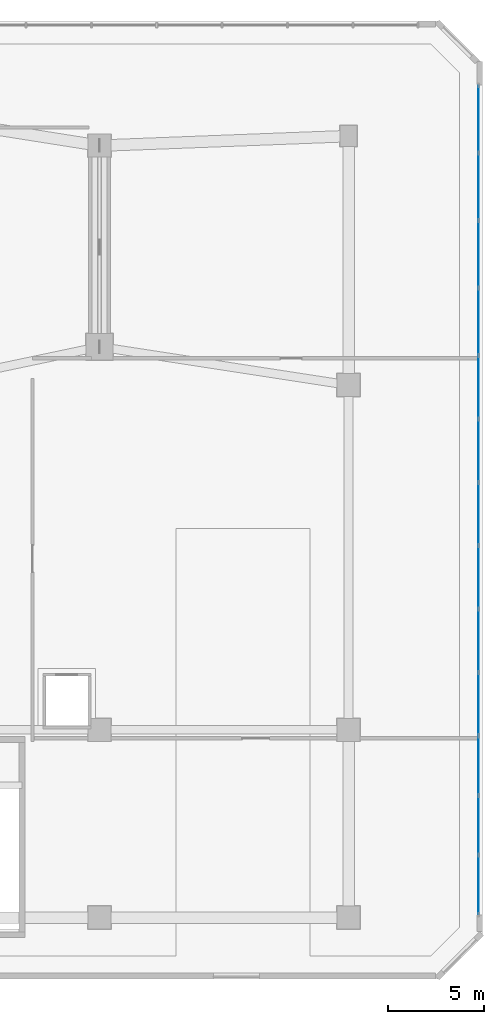
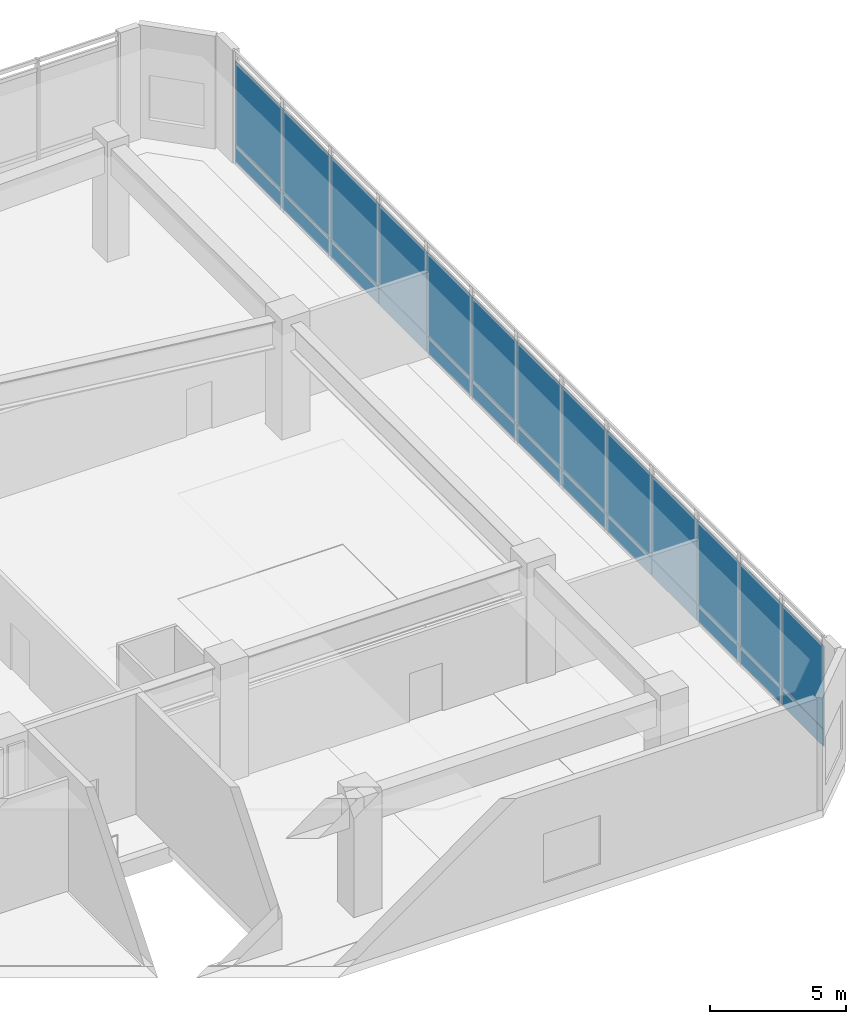
# One storey, part 14 of 21: 26 plates, 1 element without a shape of its own.
"""IFC4 building model written with IfcOpenShell, lengths in metres."""

from ifc_helpers import new_model, si_unit, direction, frame, frame_2d, origin, place, context, subcontext, project, spatial, rectangle, extrude, material, layer, layer_set, type_object, element, aggregate, save


model = new_model("IFC4")

# Units and contexts
model_context = context("Model", 3, precision=1e-05, world=origin(), true_north=direction((0.0, 1.0)))
body_context = subcontext(model_context, "Body", "Model", "MODEL_VIEW")
ifc_project = project(units=[si_unit("LENGTHUNIT", "METRE"), si_unit("AREAUNIT", "SQUARE_METRE"), si_unit("VOLUMEUNIT", "CUBIC_METRE"), si_unit("PLANEANGLEUNIT", "RADIAN"), si_unit("MASSUNIT", "GRAM", prefix="KILO")], contexts=[model_context])

# Site, building, storey
site_placement = place(None, origin())
site = spatial("IfcSite", under=ifc_project, at=site_placement, CompositionType="ELEMENT")
building_placement = place(site_placement, origin())
building = spatial("IfcBuilding", under=site, at=building_placement, Name="Calvemar Wedge Station Tower", CompositionType="ELEMENT")
storey_placement = place(building_placement, frame((0.0, 0.0, 21.60009765625)))
storey = spatial("IfcBuildingStorey", under=building, at=storey_placement, Name="L05", CompositionType="ELEMENT", Elevation=21.60009765625)

# Curtain wall, plates
ifc_material_1 = material(Name="Anodised aluminium 6063-T6", Category="aluminium")
curtain_wall_type = type_object("IfcCurtainWallType", Name="CW5", PredefinedType="NOTDEFINED", material=ifc_material_1)
curtain_wall_placement = place(storey_placement, origin())
curtain_wall = element("IfcCurtainWall", 1, at=curtain_wall_placement, inside=storey, type_object=curtain_wall_type, Name="Storey L05 CW5 Recessed Unitised Curtain Wall 2", PredefinedType="NOTDEFINED")
ifc_material_2 = material(Name="Low-E laminated insulated glass", Category="glass")
ifc_layer_1 = layer(ifc_material_2, 0.028076171875)
ifc_layer_set_1 = layer_set([ifc_layer_1], Name="Low-E laminated insulated glass")
plate_type_1 = type_object("IfcPlateType", Name="CW5-GLZ", PredefinedType="CURTAIN_PANEL", material=ifc_layer_set_1)
plate_1_placement = place(storey_placement, frame((67.7900390625, 5.380126953125, 0.869873046875), z_axis=(0.0, 0.0, 1.0), x_axis=(0.0, 1.0, 0.0)))
plate_1 = element("IfcPlate", 2, at=plate_1_placement, type_object=plate_type_1, Name="CW5 vision glass panel 1", PredefinedType="CURTAIN_PANEL", context=body_context, shape_type="SweptSolid", body=[
    extrude(rectangle(XDim=3.0732421875, YDim=0.028076171875, at=frame_2d((1.53662109375, 0.0))), origin(), (0.0, 0.0, 1.0), 3.7099609375),
])
plate_2_placement = place(storey_placement, frame((67.7900390625, 8.489501953125, 0.869873046875), z_axis=(0.0, 0.0, 1.0), x_axis=(0.0, 1.0, 0.0)))
plate_2 = element("IfcPlate", 3, at=plate_2_placement, type_object=plate_type_1, Name="CW5 vision glass panel 2", PredefinedType="CURTAIN_PANEL", context=body_context, shape_type="SweptSolid", body=[
    extrude(rectangle(XDim=3.0732421875, YDim=0.028076171875, at=frame_2d((1.53662109375, 0.0))), origin(), (0.0, 0.0, 1.0), 3.7099609375),
])
plate_3_placement = place(storey_placement, frame((67.7900390625, 11.5986328125, 0.869873046875), z_axis=(0.0, 0.0, 1.0), x_axis=(0.0, 1.0, 0.0)))
plate_3 = element("IfcPlate", 4, at=plate_3_placement, type_object=plate_type_1, Name="CW5 vision glass panel 3", PredefinedType="CURTAIN_PANEL", context=body_context, shape_type="SweptSolid", body=[
    extrude(rectangle(XDim=3.073486328125, YDim=0.028076171875, at=frame_2d((1.53662109375, 0.0))), origin(), (0.0, 0.0, 1.0), 3.7099609375),
])
plate_4_placement = place(storey_placement, frame((67.7900390625, 14.7080078125, 0.869873046875), z_axis=(0.0, 0.0, 1.0), x_axis=(0.0, 1.0, 0.0)))
plate_4 = element("IfcPlate", 5, at=plate_4_placement, type_object=plate_type_1, Name="CW5 vision glass panel 4", PredefinedType="CURTAIN_PANEL", context=body_context, shape_type="SweptSolid", body=[
    extrude(rectangle(XDim=3.272216796875, YDim=0.028076171875, at=frame_2d((1.63623046875, 0.0))), origin(), (0.0, 0.0, 1.0), 3.7099609375),
])
plate_5_placement = place(storey_placement, frame((67.7900390625, 18.016357421875, 0.869873046875), z_axis=(0.0, 0.0, 1.0), x_axis=(0.0, 1.0, 0.0)))
plate_5 = element("IfcPlate", 6, at=plate_5_placement, type_object=plate_type_1, Name="CW5 vision glass panel 5", PredefinedType="CURTAIN_PANEL", context=body_context, shape_type="SweptSolid", body=[
    extrude(rectangle(XDim=3.2724609375, YDim=0.028076171875, at=frame_2d((1.63623046875, 0.0))), origin(), (0.0, 0.0, 1.0), 3.7099609375),
])
plate_6_placement = place(storey_placement, frame((67.7900390625, 21.32470703125, 0.869873046875), z_axis=(0.0, 0.0, 1.0), x_axis=(0.0, 1.0, 0.0)))
plate_6 = element("IfcPlate", 7, at=plate_6_placement, type_object=plate_type_1, Name="CW5 vision glass panel 6", PredefinedType="CURTAIN_PANEL", context=body_context, shape_type="SweptSolid", body=[
    extrude(rectangle(XDim=3.272216796875, YDim=0.028076171875, at=frame_2d((1.63623046875, 0.0))), origin(), (0.0, 0.0, 1.0), 3.7099609375),
])
plate_7_placement = place(storey_placement, frame((67.7900390625, 24.633056640625, 0.869873046875), z_axis=(0.0, 0.0, 1.0), x_axis=(0.0, 1.0, 0.0)))
plate_7 = element("IfcPlate", 8, at=plate_7_placement, type_object=plate_type_1, Name="CW5 vision glass panel 7", PredefinedType="CURTAIN_PANEL", context=body_context, shape_type="SweptSolid", body=[
    extrude(rectangle(XDim=3.272216796875, YDim=0.028076171875, at=frame_2d((1.63623046875, 0.0))), origin(), (0.0, 0.0, 1.0), 3.7099609375),
])
plate_8_placement = place(storey_placement, frame((67.7900390625, 27.94140625, 0.869873046875), z_axis=(0.0, 0.0, 1.0), x_axis=(0.0, 1.0, 0.0)))
plate_8 = element("IfcPlate", 9, at=plate_8_placement, type_object=plate_type_1, Name="CW5 vision glass panel 8", PredefinedType="CURTAIN_PANEL", context=body_context, shape_type="SweptSolid", body=[
    extrude(rectangle(XDim=3.272216796875, YDim=0.028076171875, at=frame_2d((1.63623046875, 0.0))), origin(), (0.0, 0.0, 1.0), 3.7099609375),
])
plate_9_placement = place(storey_placement, frame((67.7900390625, 31.249755859375, 0.869873046875), z_axis=(0.0, 0.0, 1.0), x_axis=(0.0, 1.0, 0.0)))
plate_9 = element("IfcPlate", 10, at=plate_9_placement, type_object=plate_type_1, Name="CW5 vision glass panel 9", PredefinedType="CURTAIN_PANEL", context=body_context, shape_type="SweptSolid", body=[
    extrude(rectangle(XDim=3.272216796875, YDim=0.028076171875, at=frame_2d((1.63623046875, 0.0))), origin(), (0.0, 0.0, 1.0), 3.7099609375),
])
plate_10_placement = place(storey_placement, frame((67.7900390625, 34.55810546875, 0.869873046875), z_axis=(0.0, 0.0, 1.0), x_axis=(0.0, 1.0, 0.0)))
plate_10 = element("IfcPlate", 11, at=plate_10_placement, type_object=plate_type_1, Name="CW5 vision glass panel 10", PredefinedType="CURTAIN_PANEL", context=body_context, shape_type="SweptSolid", body=[
    extrude(rectangle(XDim=3.48828125, YDim=0.028076171875, at=frame_2d((1.744140625, 0.0))), origin(), (0.0, 0.0, 1.0), 3.7099609375),
])
plate_11_placement = place(storey_placement, frame((67.7900390625, 38.08251953125, 0.869873046875), z_axis=(0.0, 0.0, 1.0), x_axis=(0.0, 1.0, 0.0)))
plate_11 = element("IfcPlate", 12, at=plate_11_placement, type_object=plate_type_1, Name="CW5 vision glass panel 11", PredefinedType="CURTAIN_PANEL", context=body_context, shape_type="SweptSolid", body=[
    extrude(rectangle(XDim=3.48828125, YDim=0.028076171875, at=frame_2d((1.744140625, 0.0))), origin(), (0.0, 0.0, 1.0), 3.7099609375),
])
plate_12_placement = place(storey_placement, frame((67.7900390625, 41.60693359375, 0.869873046875), z_axis=(0.0, 0.0, 1.0), x_axis=(0.0, 1.0, 0.0)))
plate_12 = element("IfcPlate", 13, at=plate_12_placement, type_object=plate_type_1, Name="CW5 vision glass panel 12", PredefinedType="CURTAIN_PANEL", context=body_context, shape_type="SweptSolid", body=[
    extrude(rectangle(XDim=3.488525390625, YDim=0.028076171875, at=frame_2d((1.744140625, 0.0))), origin(), (0.0, 0.0, 1.0), 3.7099609375),
])
plate_13_placement = place(storey_placement, frame((67.7900390625, 45.13134765625, 0.869873046875), z_axis=(0.0, 0.0, 1.0), x_axis=(0.0, 1.0, 0.0)))
plate_13 = element("IfcPlate", 14, at=plate_13_placement, type_object=plate_type_1, Name="CW5 vision glass panel 13", PredefinedType="CURTAIN_PANEL", context=body_context, shape_type="SweptSolid", body=[
    extrude(rectangle(XDim=3.488525390625, YDim=0.028076171875, at=frame_2d((1.744140625, 0.0))), origin(), (0.0, 0.0, 1.0), 3.7099609375),
])
ifc_material_3 = material(Name="Oxidized bronze aluminium spandrel panel 5005-H24", Category="aluminium")
ifc_layer_2 = layer(ifc_material_3, 0.0400390625)
ifc_layer_set_2 = layer_set([ifc_layer_2], Name="Oxidized bronze aluminium spandrel panel 5005-H24")
plate_type_2 = type_object("IfcPlateType", Name="CW5-SPD", PredefinedType="SHEET", material=ifc_layer_set_2)
plate_14_placement = place(storey_placement, frame((67.7900390625, 5.380126953125, 0.079833984375), z_axis=(0.0, 0.0, 1.0), x_axis=(0.0, 1.0, 0.0)))
plate_14 = element("IfcPlate", 15, at=plate_14_placement, type_object=plate_type_2, Name="CW5 bronze spandrel panel 1", PredefinedType="SHEET", context=body_context, shape_type="SweptSolid", body=[
    extrude(rectangle(XDim=3.0732421875, YDim=0.0400390625, at=frame_2d((1.53662109375, 0.0))), origin(), (0.0, 0.0, 1.0), 0.75),
])
plate_15_placement = place(storey_placement, frame((67.7900390625, 8.489501953125, 0.079833984375), z_axis=(0.0, 0.0, 1.0), x_axis=(0.0, 1.0, 0.0)))
plate_15 = element("IfcPlate", 16, at=plate_15_placement, type_object=plate_type_2, Name="CW5 bronze spandrel panel 2", PredefinedType="SHEET", context=body_context, shape_type="SweptSolid", body=[
    extrude(rectangle(XDim=3.0732421875, YDim=0.0400390625, at=frame_2d((1.53662109375, 0.0))), origin(), (0.0, 0.0, 1.0), 0.75),
])
plate_16_placement = place(storey_placement, frame((67.7900390625, 11.5986328125, 0.079833984375), z_axis=(0.0, 0.0, 1.0), x_axis=(0.0, 1.0, 0.0)))
plate_16 = element("IfcPlate", 17, at=plate_16_placement, type_object=plate_type_2, Name="CW5 bronze spandrel panel 3", PredefinedType="SHEET", context=body_context, shape_type="SweptSolid", body=[
    extrude(rectangle(XDim=3.073486328125, YDim=0.0400390625, at=frame_2d((1.53662109375, 0.0))), origin(), (0.0, 0.0, 1.0), 0.75),
])
plate_17_placement = place(storey_placement, frame((67.7900390625, 14.7080078125, 0.079833984375), z_axis=(0.0, 0.0, 1.0), x_axis=(0.0, 1.0, 0.0)))
plate_17 = element("IfcPlate", 18, at=plate_17_placement, type_object=plate_type_2, Name="CW5 bronze spandrel panel 4", PredefinedType="SHEET", context=body_context, shape_type="SweptSolid", body=[
    extrude(rectangle(XDim=3.272216796875, YDim=0.0400390625, at=frame_2d((1.63623046875, 0.0))), origin(), (0.0, 0.0, 1.0), 0.75),
])
plate_18_placement = place(storey_placement, frame((67.7900390625, 18.016357421875, 0.079833984375), z_axis=(0.0, 0.0, 1.0), x_axis=(0.0, 1.0, 0.0)))
plate_18 = element("IfcPlate", 19, at=plate_18_placement, type_object=plate_type_2, Name="CW5 bronze spandrel panel 5", PredefinedType="SHEET", context=body_context, shape_type="SweptSolid", body=[
    extrude(rectangle(XDim=3.2724609375, YDim=0.0400390625, at=frame_2d((1.63623046875, 0.0))), origin(), (0.0, 0.0, 1.0), 0.75),
])
plate_19_placement = place(storey_placement, frame((67.7900390625, 21.32470703125, 0.079833984375), z_axis=(0.0, 0.0, 1.0), x_axis=(0.0, 1.0, 0.0)))
plate_19 = element("IfcPlate", 20, at=plate_19_placement, type_object=plate_type_2, Name="CW5 bronze spandrel panel 6", PredefinedType="SHEET", context=body_context, shape_type="SweptSolid", body=[
    extrude(rectangle(XDim=3.272216796875, YDim=0.0400390625, at=frame_2d((1.63623046875, 0.0))), origin(), (0.0, 0.0, 1.0), 0.75),
])
plate_20_placement = place(storey_placement, frame((67.7900390625, 24.633056640625, 0.079833984375), z_axis=(0.0, 0.0, 1.0), x_axis=(0.0, 1.0, 0.0)))
plate_20 = element("IfcPlate", 21, at=plate_20_placement, type_object=plate_type_2, Name="CW5 bronze spandrel panel 7", PredefinedType="SHEET", context=body_context, shape_type="SweptSolid", body=[
    extrude(rectangle(XDim=3.272216796875, YDim=0.0400390625, at=frame_2d((1.63623046875, 0.0))), origin(), (0.0, 0.0, 1.0), 0.75),
])
plate_21_placement = place(storey_placement, frame((67.7900390625, 27.94140625, 0.079833984375), z_axis=(0.0, 0.0, 1.0), x_axis=(0.0, 1.0, 0.0)))
plate_21 = element("IfcPlate", 22, at=plate_21_placement, type_object=plate_type_2, Name="CW5 bronze spandrel panel 8", PredefinedType="SHEET", context=body_context, shape_type="SweptSolid", body=[
    extrude(rectangle(XDim=3.272216796875, YDim=0.0400390625, at=frame_2d((1.63623046875, 0.0))), origin(), (0.0, 0.0, 1.0), 0.75),
])
plate_22_placement = place(storey_placement, frame((67.7900390625, 31.249755859375, 0.079833984375), z_axis=(0.0, 0.0, 1.0), x_axis=(0.0, 1.0, 0.0)))
plate_22 = element("IfcPlate", 23, at=plate_22_placement, type_object=plate_type_2, Name="CW5 bronze spandrel panel 9", PredefinedType="SHEET", context=body_context, shape_type="SweptSolid", body=[
    extrude(rectangle(XDim=3.272216796875, YDim=0.0400390625, at=frame_2d((1.63623046875, 0.0))), origin(), (0.0, 0.0, 1.0), 0.75),
])
plate_23_placement = place(storey_placement, frame((67.7900390625, 34.55810546875, 0.079833984375), z_axis=(0.0, 0.0, 1.0), x_axis=(0.0, 1.0, 0.0)))
plate_23 = element("IfcPlate", 24, at=plate_23_placement, type_object=plate_type_2, Name="CW5 bronze spandrel panel 10", PredefinedType="SHEET", context=body_context, shape_type="SweptSolid", body=[
    extrude(rectangle(XDim=3.48828125, YDim=0.0400390625, at=frame_2d((1.744140625, 0.0))), origin(), (0.0, 0.0, 1.0), 0.75),
])
plate_24_placement = place(storey_placement, frame((67.7900390625, 38.08251953125, 0.079833984375), z_axis=(0.0, 0.0, 1.0), x_axis=(0.0, 1.0, 0.0)))
plate_24 = element("IfcPlate", 25, at=plate_24_placement, type_object=plate_type_2, Name="CW5 bronze spandrel panel 11", PredefinedType="SHEET", context=body_context, shape_type="SweptSolid", body=[
    extrude(rectangle(XDim=3.48828125, YDim=0.0400390625, at=frame_2d((1.744140625, 0.0))), origin(), (0.0, 0.0, 1.0), 0.75),
])
plate_25_placement = place(storey_placement, frame((67.7900390625, 41.60693359375, 0.079833984375), z_axis=(0.0, 0.0, 1.0), x_axis=(0.0, 1.0, 0.0)))
plate_25 = element("IfcPlate", 26, at=plate_25_placement, type_object=plate_type_2, Name="CW5 bronze spandrel panel 12", PredefinedType="SHEET", context=body_context, shape_type="SweptSolid", body=[
    extrude(rectangle(XDim=3.488525390625, YDim=0.0400390625, at=frame_2d((1.744140625, 0.0))), origin(), (0.0, 0.0, 1.0), 0.75),
])
plate_26_placement = place(storey_placement, frame((67.7900390625, 45.13134765625, 0.079833984375), z_axis=(0.0, 0.0, 1.0), x_axis=(0.0, 1.0, 0.0)))
plate_26 = element("IfcPlate", 27, at=plate_26_placement, type_object=plate_type_2, Name="CW5 bronze spandrel panel 13", PredefinedType="SHEET", context=body_context, shape_type="SweptSolid", body=[
    extrude(rectangle(XDim=3.488525390625, YDim=0.0400390625, at=frame_2d((1.744140625, 0.0))), origin(), (0.0, 0.0, 1.0), 0.75),
])
aggregate(curtain_wall, [plate_14, plate_1, plate_15, plate_2, plate_16, plate_3, plate_17, plate_4, plate_18, plate_5, plate_19, plate_6, plate_20, plate_7, plate_21, plate_8, plate_22, plate_9, plate_23, plate_10, plate_24, plate_11, plate_25, plate_12, plate_26, plate_13])

save(model, "model.ifc")
